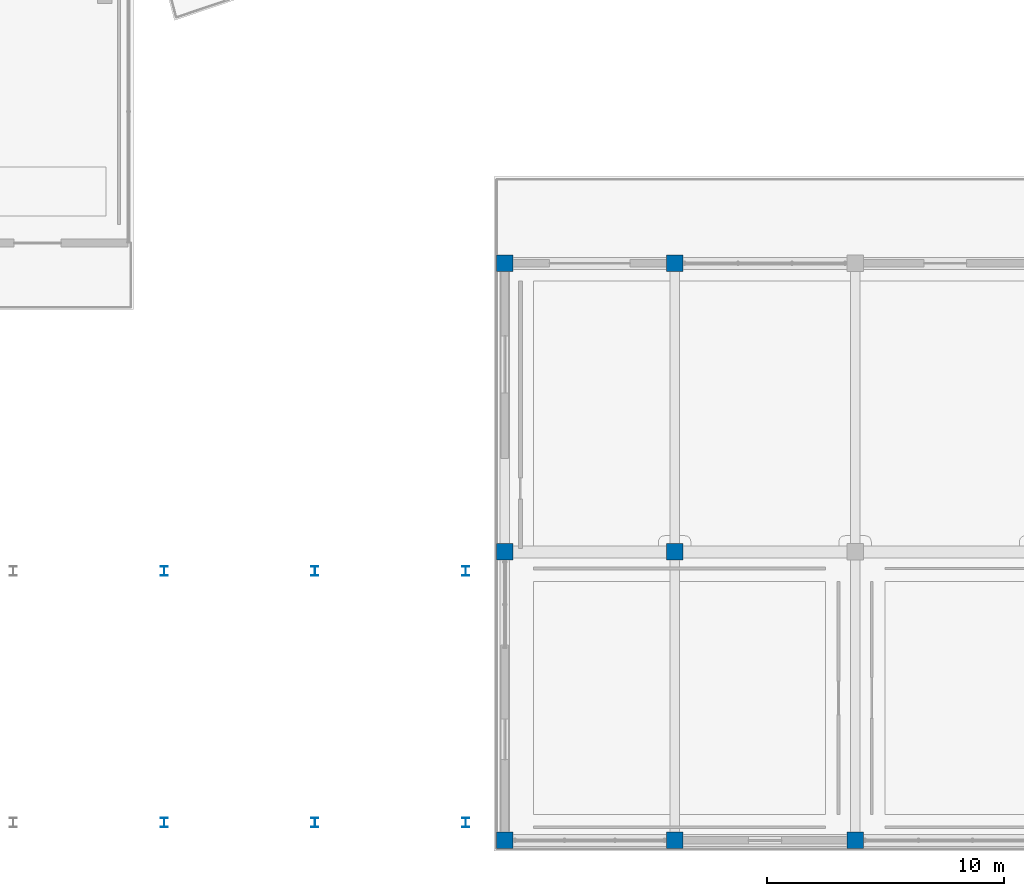
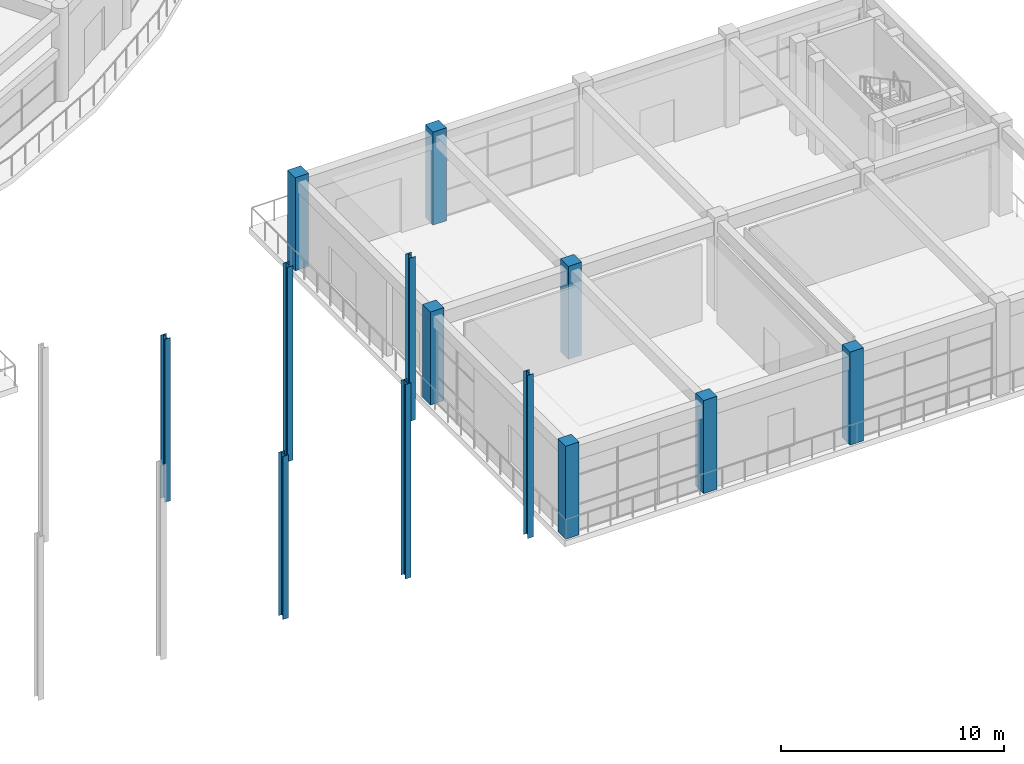
# One storey, part 4 of 99: 13 columns.
"""IFC4 building model written with IfcOpenShell, lengths in metres."""

from ifc_helpers import new_model, si_unit, direction, frame, origin, origin_2d, place, context, subcontext, project, spatial, rectangle, i_section, extrude, material, material_profile, profile_set, type_object, element, save


model = new_model("IFC4")

# Units and contexts
model_context = context("Model", 3, precision=1e-05, world=origin(), true_north=direction((0.0, 1.0)))
body_context = subcontext(model_context, "Body", "Model", "MODEL_VIEW")
ifc_project = project(units=[si_unit("LENGTHUNIT", "METRE"), si_unit("AREAUNIT", "SQUARE_METRE"), si_unit("VOLUMEUNIT", "CUBIC_METRE"), si_unit("PLANEANGLEUNIT", "RADIAN"), si_unit("MASSUNIT", "GRAM", prefix="KILO")], contexts=[model_context])

# Site, building, storey
site_placement = place(None, origin())
site = spatial("IfcSite", under=ifc_project, at=site_placement, CompositionType="ELEMENT")
building_placement = place(site_placement, origin())
building = spatial("IfcBuilding", under=site, at=building_placement, Name="Saryqyr Civic Hall", CompositionType="ELEMENT")
storey_placement = place(building_placement, origin())
storey = spatial("IfcBuildingStorey", under=building, at=storey_placement, Name="L00", CompositionType="ELEMENT", Elevation=0.0)

# Columns
ifc_material_1 = material(Name="Steel S355", Category="steel")
ifc_material_profile_1 = material_profile(ifc_material_1, i_section(OverallWidth=0.300048828125, OverallDepth=0.389892578125, WebThickness=0.010986328125, FlangeThickness=0.01904296875, at=origin_2d()), Name="HEA 400")
ifc_profile_set_1 = profile_set([ifc_material_profile_1], Name="Steel S355")
column_type_1 = type_object("IfcColumnType", Name="STR-COL-HEA400-S355", PredefinedType="COLUMN", material=ifc_profile_set_1)
for number, where, z_axis, x_axis, name in (
    (1, (69.699951171875, 1.199951171875, 0.0), (0.0, 0.0, 1.0), (1.0, 0.0, 0.0), "Column V7C-COL-71-L00"),
    (2, (69.699951171875, 11.800048828125, 0.0), (0.0, 0.0, 1.0), (1.0, 0.0, 0.0), "Column V7C-COL-72-L00"),
):
    element("IfcColumn", number, at=place(storey_placement, frame(where, z_axis=z_axis, x_axis=x_axis)), inside=storey, type_object=column_type_1, Name=name, PredefinedType="COLUMN", context=body_context, shape_type="SweptSolid", body=[
        extrude(i_section(OverallWidth=0.300048828125, OverallDepth=0.389892578125, WebThickness=0.010986328125, FlangeThickness=0.01904296875, at=origin_2d()), origin(), (0.0, 0.0, 1.0), 8.949951171875),
    ])
for number, where, z_axis, x_axis, name in (
    (3, (76.050048828125, 1.199951171875, 0.0), (0.0, 0.0, 1.0), (1.0, 0.0, 0.0), "Column V7C-COL-81-L00"),
    (4, (76.050048828125, 11.800048828125, 0.0), (0.0, 0.0, 1.0), (1.0, 0.0, 0.0), "Column V7C-COL-82-L00"),
):
    element("IfcColumn", number, at=place(storey_placement, frame(where, z_axis=z_axis, x_axis=x_axis)), inside=storey, type_object=column_type_1, Name=name, PredefinedType="COLUMN", context=body_context, shape_type="SweptSolid", body=[
        extrude(i_section(OverallWidth=0.300048828125, OverallDepth=0.389892578125, WebThickness=0.010986328125, FlangeThickness=0.01904296875, at=origin_2d()), origin(), (0.0, 0.0, 1.0), 10.67138671875),
    ])
for number, where, z_axis, x_axis, name in (
    (5, (82.39990234375, 1.199951171875, 0.0), (0.0, 0.0, 1.0), (1.0, 0.0, 0.0), "Column V7C-COL-91-L00"),
    (6, (82.39990234375, 11.800048828125, 0.0), (0.0, 0.0, 1.0), (1.0, 0.0, 0.0), "Column V7C-COL-92-L00"),
):
    element("IfcColumn", number, at=place(storey_placement, frame(where, z_axis=z_axis, x_axis=x_axis)), inside=storey, type_object=column_type_1, Name=name, PredefinedType="COLUMN", context=body_context, shape_type="SweptSolid", body=[
        extrude(i_section(OverallWidth=0.300048828125, OverallDepth=0.389892578125, WebThickness=0.010986328125, FlangeThickness=0.01904296875, at=origin_2d()), origin(), (0.0, 0.0, 1.0), 8.949951171875),
    ])
ifc_material_2 = material(Name="Concrete C40/50", Category="concrete")
ifc_material_profile_2 = material_profile(ifc_material_2, rectangle(XDim=0.699951171875, YDim=0.699951171875, at=origin_2d()), Name="RC 700x700")
ifc_profile_set_2 = profile_set([ifc_material_profile_2], Name="Concrete C40/50")
column_type_2 = type_object("IfcColumnType", Name="STR-COL-RC700-C40", PredefinedType="COLUMN", material=ifc_profile_set_2)
for number, where, z_axis, x_axis, name in (
    (7, (84.050048828125, 0.449951171875, 0.0), (0.0, 0.0, 1.0), (1.0, 0.0, 0.0), "Column V7E-COL-11-L00"),
    (8, (84.050048828125, 12.60009765625, 0.0), (0.0, 0.0, 1.0), (1.0, 0.0, 0.0), "Column V7E-COL-12-L00"),
    (9, (84.050048828125, 24.75, 0.0), (0.0, 0.0, 1.0), (1.0, 0.0, 0.0), "Column V7E-COL-13-L00"),
    (10, (91.199951171875, 0.449951171875, 0.0), (0.0, 0.0, 1.0), (1.0, 0.0, 0.0), "Column V7E-COL-21-L00"),
    (11, (91.199951171875, 12.60009765625, 0.0), (0.0, 0.0, 1.0), (1.0, 0.0, 0.0), "Column V7E-COL-22-L00"),
    (12, (91.199951171875, 24.75, 0.0), (0.0, 0.0, 1.0), (1.0, 0.0, 0.0), "Column V7E-COL-23-L00"),
    (13, (98.800048828125, 0.449951171875, 0.0), (0.0, 0.0, 1.0), (1.0, 0.0, 0.0), "Column V7E-COL-31-L00"),
):
    element("IfcColumn", number, at=place(storey_placement, frame(where, z_axis=z_axis, x_axis=x_axis)), inside=storey, type_object=column_type_2, Name=name, PredefinedType="COLUMN", context=body_context, shape_type="SweptSolid", body=[
        extrude(rectangle(XDim=0.699951171875, YDim=0.699951171875, at=origin_2d()), origin(), (0.0, 0.0, 1.0), 5.10009765625),
    ])

save(model, "model.ifc")
